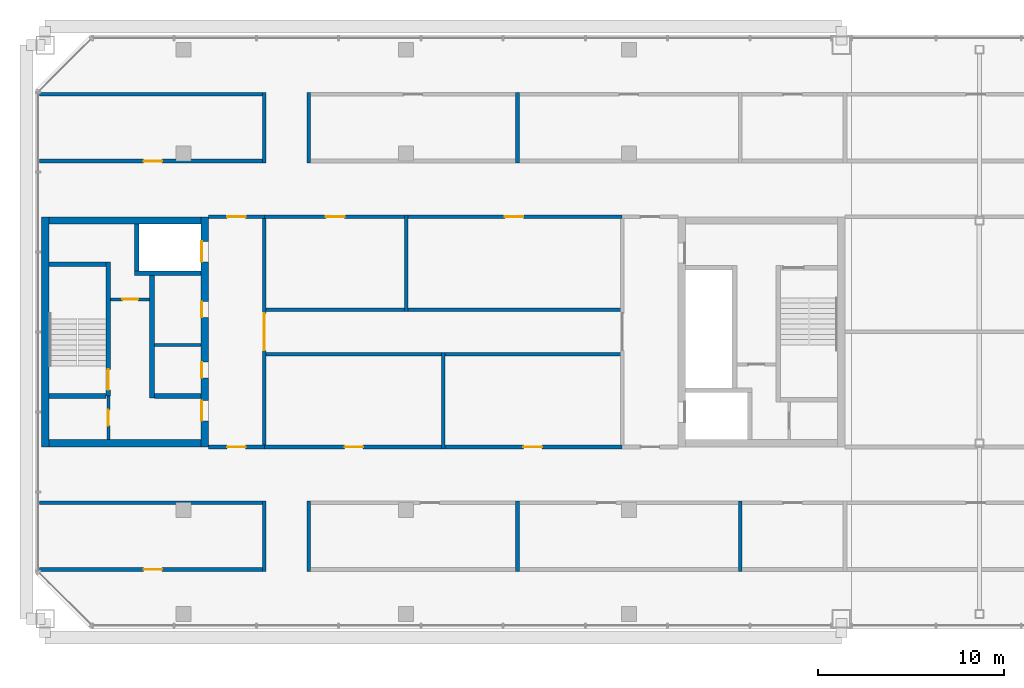
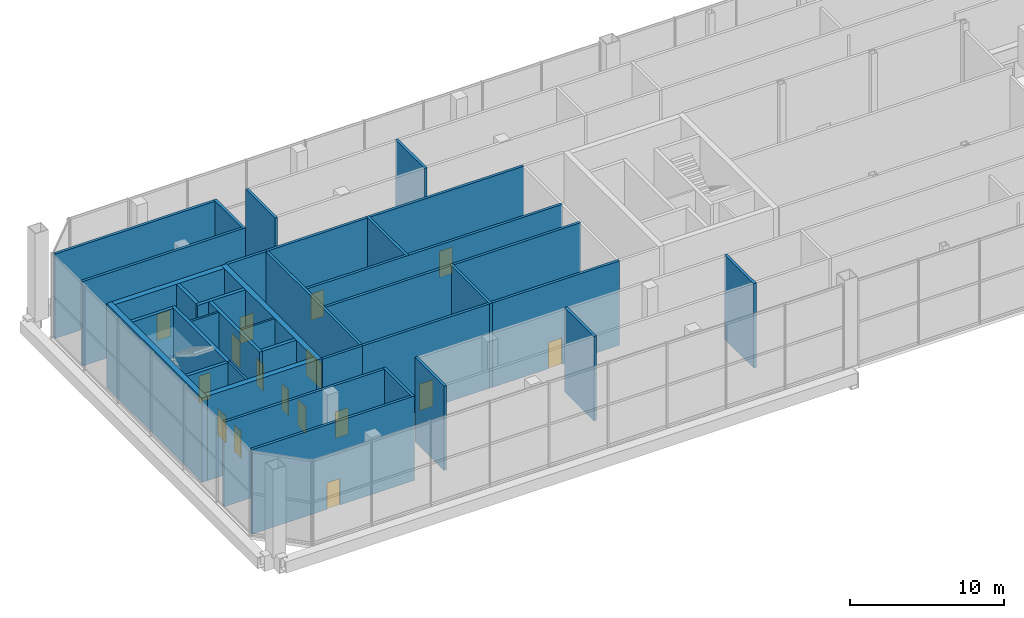
# One storey, part 17 of 27: 34 walls, 16 doors, 16 openings.
"""IFC4 building model written with IfcOpenShell, lengths in metres."""

from ifc_helpers import new_model, si_unit, direction, frame, frame_2d, origin, place, context, subcontext, project, spatial, rectangle, extrude, material, layer, layer_set, type_object, element, fill, save


model = new_model("IFC4")

# Units and contexts
model_context = context("Model", 3, precision=1e-05, world=origin(), true_north=direction((0.0, 1.0)))
body_context = subcontext(model_context, "Body", "Model", "MODEL_VIEW")
ifc_project = project(units=[si_unit("LENGTHUNIT", "METRE"), si_unit("AREAUNIT", "SQUARE_METRE"), si_unit("VOLUMEUNIT", "CUBIC_METRE"), si_unit("PLANEANGLEUNIT", "RADIAN"), si_unit("MASSUNIT", "GRAM", prefix="KILO")], contexts=[model_context])

# Site, building, storey
site_placement = place(None, origin())
site = spatial("IfcSite", under=ifc_project, at=site_placement, CompositionType="ELEMENT")
building_placement = place(site_placement, origin())
building = spatial("IfcBuilding", under=site, at=building_placement, Name="Tuart Gate Housing", CompositionType="ELEMENT")
storey_placement = place(building_placement, frame((0.0, 0.0, 236.89990234375)))
storey = spatial("IfcBuildingStorey", under=building, at=storey_placement, Name="L67", CompositionType="ELEMENT", Elevation=236.89990234375)

# Wall, opening, door
ifc_material_1 = material(Name="Plasterboard partition")
ifc_layer_1 = layer(ifc_material_1, 0.14990234375)
ifc_layer_set_1 = layer_set([ifc_layer_1], Name="Core partition 150")
wall_type_1 = type_object("IfcWallType", Name="Core partition 150", PredefinedType="PARTITIONING", material=ifc_layer_set_1)
wall_1_placement = place(storey_placement, frame((38.18505859375, 71.75, 0.0), z_axis=(0.0, 0.0, 1.0), x_axis=(-1.0, 0.0, 0.0)))
wall_1 = element("IfcWall", 1, at=wall_1_placement, inside=storey, type_object=wall_type_1, Name="Core partition AK.3", PredefinedType="PARTITIONING", context=body_context, shape_type="SweptSolid", body=[
    extrude(rectangle(XDim=2.10009765625, YDim=0.14990234375, at=frame_2d((1.050048828125, 0.0))), origin(), (0.0, 0.0, 1.0), 6.7001953125),
])
opening_1_placement = place(wall_1_placement, frame((0.625, 0.0, 0.0)))
opening_1 = element("IfcOpeningElement", 2, at=opening_1_placement, cuts=wall_1, Name="Opening D281", PredefinedType="OPENING", context=body_context, shape_type="SweptSolid", body=[
    extrude(rectangle(XDim=0.85009765625, YDim=2.10009765625, at=frame_2d((0.425048828125, 1.050048828125))), frame((0.0, 0.0849609375, 0.0), z_axis=(0.0, -1.0, 0.0), x_axis=(1.0, 0.0, 0.0)), (0.0, 0.0, 1.0), 0.169921875),
])
ifc_material_2 = material(Name="Steel fire door", Category="steel")
door_type_1 = type_object("IfcDoorType", Name="Riser door 850 x 2100 RH", OperationType="SINGLE_SWING_RIGHT", PredefinedType="DOOR", material=ifc_material_2)
door_1_placement = place(opening_1_placement, frame((0.85009765625, 0.0, 0.0), z_axis=(0.0, 0.0, 1.0), x_axis=(-1.0, 0.0, 0.0)))
door_1 = element("IfcDoor", 3, at=door_1_placement, inside=storey, type_object=door_type_1, Name="Service room door AK.E1", OperationType="SINGLE_SWING_RIGHT", OverallHeight=2.10009765625, OverallWidth=0.85009765625, PredefinedType="DOOR", context=body_context, shape_type="SweptSolid", body=[
    extrude(rectangle(XDim=0.85009765625, YDim=2.10009765625, at=frame_2d((0.425048828125, 1.050048828125))), frame((0.0, 0.025146484375, 0.0), z_axis=(0.0, -1.0, 0.0), x_axis=(1.0, 0.0, 0.0)), (0.0, 0.0, 1.0), 0.050048828125),
])
fill(opening_1, door_1)

# Wall
wall_2_placement = place(storey_placement, frame((40.9599609375, 69.300048828125, 0.0), z_axis=(0.0, 0.0, 1.0), x_axis=(-1.0, 0.0, 0.0)))
element("IfcWall", 4, at=wall_2_placement, inside=storey, type_object=wall_type_1, Name="Core partition AK.4", PredefinedType="PARTITIONING", context=body_context, shape_type="SweptSolid", body=[
    extrude(rectangle(XDim=2.52490234375, YDim=0.14990234375, at=frame_2d((1.262451171875, 0.0))), origin(), (0.0, 0.0, 1.0), 6.7001953125),
])

# Wall, opening, door
wall_3_placement = place(storey_placement, frame((35.9599609375, 66.550048828125, 0.0), z_axis=(0.0, 0.0, 1.0), x_axis=(0.0, -1.0, 0.0)))
wall_3 = element("IfcWall", 5, at=wall_3_placement, inside=storey, type_object=wall_type_1, Name="Core partition AK.10", PredefinedType="PARTITIONING", context=body_context, shape_type="SweptSolid", body=[
    extrude(rectangle(XDim=2.35009765625, YDim=0.14990234375, at=frame_2d((1.175048828125, 0.0))), origin(), (0.0, 0.0, 1.0), 6.7001953125),
])
opening_2_placement = place(wall_3_placement, frame((0.75, 0.0, 0.0)))
opening_2 = element("IfcOpeningElement", 6, at=opening_2_placement, cuts=wall_3, Name="Opening D290", PredefinedType="OPENING", context=body_context, shape_type="SweptSolid", body=[
    extrude(rectangle(XDim=0.85009765625, YDim=2.10009765625, at=frame_2d((0.425048828125, 1.050048828125))), frame((0.0, 0.0849609375, 0.0), z_axis=(0.0, -1.0, 0.0), x_axis=(1.0, 0.0, 0.0)), (0.0, 0.0, 1.0), 0.169921875),
])
ifc_material_3 = material(Name="Steel fire door", Category="steel")
door_type_2 = type_object("IfcDoorType", Name="Service door 850 x 2100 RH", OperationType="SINGLE_SWING_RIGHT", PredefinedType="DOOR", material=ifc_material_3)
door_2_placement = place(opening_2_placement, frame((0.85009765625, 0.0, 0.0), z_axis=(0.0, 0.0, 1.0), x_axis=(-1.0, 0.0, 0.0)))
door_2 = element("IfcDoor", 7, at=door_2_placement, inside=storey, type_object=door_type_2, Name="Service room door AK.ST", OperationType="SINGLE_SWING_RIGHT", OverallHeight=2.10009765625, OverallWidth=0.85009765625, PredefinedType="DOOR", context=body_context, shape_type="SweptSolid", body=[
    extrude(rectangle(XDim=0.85009765625, YDim=2.10009765625, at=frame_2d((0.425048828125, 1.050048828125))), frame((0.0, 0.025146484375, 0.0), z_axis=(0.0, -1.0, 0.0), x_axis=(1.0, 0.0, 0.0)), (0.0, 0.0, 1.0), 0.050048828125),
])
fill(opening_2, door_2)

# Walls
ifc_material_4 = material(Name="Concrete C40", Category="concrete")
ifc_layer_2 = layer(ifc_material_4, 0.25)
ifc_layer_set_2 = layer_set([ifc_layer_2], Name="Core wall 250 C40")
wall_type_2 = type_object("IfcWallType", Name="Core wall 250 C40", PredefinedType="SHEAR", material=ifc_layer_set_2)
wall_4_placement = place(storey_placement, frame((35.8349609375, 73.64990234375, 0.0), z_axis=(0.0, 0.0, 1.0), x_axis=(-1.0, 0.0, 0.0)))
element("IfcWall", 8, at=wall_4_placement, inside=storey, type_object=wall_type_2, Name="Core wall AK.1", PredefinedType="SHEAR", context=body_context, shape_type="SweptSolid", body=[
    extrude(rectangle(XDim=3.074951171875, YDim=0.25, at=frame_2d((1.53759765625, 0.0))), origin(), (0.0, 0.0, 1.0), 6.7001953125),
])
wall_5_placement = place(storey_placement, frame((40.9599609375, 73.14990234375, 0.0), z_axis=(0.0, 0.0, 1.0), x_axis=(-1.0, 0.0, 0.0)))
element("IfcWall", 9, at=wall_5_placement, inside=storey, type_object=wall_type_2, Name="Core wall AK.2", PredefinedType="SHEAR", context=body_context, shape_type="SweptSolid", body=[
    extrude(rectangle(XDim=3.594970703125, YDim=0.25, at=frame_2d((1.79736328125, 0.0))), origin(), (0.0, 0.0, 1.0), 6.7001953125),
])
wall_6_placement = place(storey_placement, frame((40.9599609375, 66.550048828125, 0.0), z_axis=(0.0, 0.0, 1.0), x_axis=(-1.0, 0.0, 0.0)))
element("IfcWall", 10, at=wall_6_placement, inside=storey, type_object=wall_type_2, Name="Core wall AK.5", PredefinedType="SHEAR", context=body_context, shape_type="SweptSolid", body=[
    extrude(rectangle(XDim=2.52490234375, YDim=0.25, at=frame_2d((1.262451171875, 0.0))), origin(), (0.0, 0.0, 1.0), 6.7001953125),
])
wall_7_placement = place(storey_placement, frame((35.8349609375, 66.550048828125, 0.0), z_axis=(0.0, 0.0, 1.0), x_axis=(-1.0, 0.0, 0.0)))
element("IfcWall", 11, at=wall_7_placement, inside=storey, type_object=wall_type_2, Name="Core wall AK.6", PredefinedType="SHEAR", context=body_context, shape_type="SweptSolid", body=[
    extrude(rectangle(XDim=3.074951171875, YDim=0.25, at=frame_2d((1.53759765625, 0.0))), origin(), (0.0, 0.0, 1.0), 6.7001953125),
])
wall_8_placement = place(storey_placement, frame((38.31005859375, 73.02490234375, 0.0), z_axis=(0.0, 0.0, 1.0), x_axis=(0.0, -1.0, 0.0)))
element("IfcWall", 12, at=wall_8_placement, inside=storey, type_object=wall_type_2, Name="Core wall AK.7", PredefinedType="SHEAR", context=body_context, shape_type="SweptSolid", body=[
    extrude(rectangle(XDim=6.599853515625, YDim=0.25, at=frame_2d((3.2998046875, 0.0))), origin(), (0.0, 0.0, 1.0), 6.7001953125),
])
wall_9_placement = place(storey_placement, frame((37.489990234375, 75.800048828125, 0.0), z_axis=(0.0, 0.0, 1.0), x_axis=(0.0, -1.0, 0.0)))
element("IfcWall", 13, at=wall_9_placement, inside=storey, type_object=wall_type_2, Name="Core wall AK.8", PredefinedType="SHEAR", context=body_context, shape_type="SweptSolid", body=[
    extrude(rectangle(XDim=2.525146484375, YDim=0.25, at=frame_2d((1.2626953125, 0.0))), origin(), (0.0, 0.0, 1.0), 6.7001953125),
])

# Wall, opening, door
wall_10_placement = place(storey_placement, frame((35.9599609375, 73.77490234375, 0.0), z_axis=(0.0, 0.0, 1.0), x_axis=(0.0, -1.0, 0.0)))
wall_10 = element("IfcWall", 14, at=wall_10_placement, inside=storey, type_object=wall_type_2, Name="Core wall AK.9", PredefinedType="SHEAR", context=body_context, shape_type="SweptSolid", body=[
    extrude(rectangle(XDim=7.224853515625, YDim=0.25, at=frame_2d((3.6123046875, 0.0))), origin(), (0.0, 0.0, 1.0), 6.7001953125),
])
opening_3_placement = place(wall_10_placement, frame((5.800048828125, 0.0, 0.0)))
opening_3 = element("IfcOpeningElement", 15, at=opening_3_placement, cuts=wall_10, Name="Opening D282", PredefinedType="OPENING", context=body_context, shape_type="SweptSolid", body=[
    extrude(rectangle(XDim=1.10009765625, YDim=2.10009765625, at=frame_2d((0.550048828125, 1.050048828125))), frame((0.0, 0.135009765625, 0.0), z_axis=(0.0, -1.0, 0.0), x_axis=(1.0, 0.0, 0.0)), (0.0, 0.0, 1.0), 0.27001953125),
])
ifc_material_5 = material(Name="Steel fire door", Category="steel")
door_type_3 = type_object("IfcDoorType", Name="Stair door 1100 x 2100", OperationType="SINGLE_SWING_LEFT", PredefinedType="DOOR", material=ifc_material_5)
door_3_placement = place(opening_3_placement, frame((1.10009765625, 0.0, 0.0), z_axis=(0.0, 0.0, 1.0), x_axis=(-1.0, 0.0, 0.0)))
door_3 = element("IfcDoor", 16, at=door_3_placement, inside=storey, type_object=door_type_3, Name="Stair door AK.SD", OperationType="SINGLE_SWING_LEFT", OverallHeight=2.10009765625, OverallWidth=1.10009765625, PredefinedType="DOOR", context=body_context, shape_type="SweptSolid", body=[
    extrude(rectangle(XDim=1.10009765625, YDim=2.10009765625, at=frame_2d((0.550048828125, 1.050048828125))), frame((0.0, 0.025146484375, 0.0), z_axis=(0.0, -1.0, 0.0), x_axis=(1.0, 0.0, 0.0)), (0.0, 0.0, 1.0), 0.050048828125),
])
fill(opening_3, door_3)

# Wall, openings, doors
ifc_material_6 = material(Name="Concrete C40", Category="concrete")
ifc_layer_3 = layer(ifc_material_6, 0.39990234375)
ifc_layer_set_3 = layer_set([ifc_layer_3], Name="Core wall 400 C40")
wall_type_3 = type_object("IfcWallType", Name="Core wall 400 C40", PredefinedType="SHEAR", material=ifc_layer_set_3)
wall_11_placement = place(storey_placement, frame((41.159912109375, 76.199951171875, 0.0), z_axis=(0.0, 0.0, 1.0), x_axis=(0.0, -1.0, 0.0)))
wall_11 = element("IfcWall", 17, at=wall_11_placement, inside=storey, type_object=wall_type_3, Name="Core wall AK front", PredefinedType="SHEAR", context=body_context, shape_type="SweptSolid", body=[
    extrude(rectangle(XDim=12.39990234375, YDim=0.39990234375, at=frame_2d((6.199951171875, 0.0))), origin(), (0.0, 0.0, 1.0), 6.7001953125),
])
opening_4_placement = place(wall_11_placement, frame((1.324951171875, 0.0, 0.0)))
opening_4 = element("IfcOpeningElement", 18, at=opening_4_placement, cuts=wall_11, Name="Opening LD-FA2", PredefinedType="OPENING", context=body_context, shape_type="SweptSolid", body=[
    extrude(rectangle(XDim=1.10009765625, YDim=2.10009765625, at=frame_2d((0.550048828125, 1.050048828125))), frame((0.0, 0.2099609375, 0.0), z_axis=(0.0, -1.0, 0.0), x_axis=(1.0, 0.0, 0.0)), (0.0, 0.0, 1.0), 0.419921875),
])
opening_5_placement = place(wall_11_placement, frame((4.574951171875, 0.0, 0.0)))
opening_5 = element("IfcOpeningElement", 19, at=opening_5_placement, cuts=wall_11, Name="Opening D284", PredefinedType="OPENING", context=body_context, shape_type="SweptSolid", body=[
    extrude(rectangle(XDim=0.85009765625, YDim=2.10009765625, at=frame_2d((0.425048828125, 1.050048828125))), frame((0.0, 0.2099609375, 0.0), z_axis=(0.0, -1.0, 0.0), x_axis=(1.0, 0.0, 0.0)), (0.0, 0.0, 1.0), 0.419921875),
])
opening_6_placement = place(wall_11_placement, frame((7.824951171875, 0.0, 0.0)))
opening_6 = element("IfcOpeningElement", 20, at=opening_6_placement, cuts=wall_11, Name="Opening D285", PredefinedType="OPENING", context=body_context, shape_type="SweptSolid", body=[
    extrude(rectangle(XDim=0.85009765625, YDim=2.10009765625, at=frame_2d((0.425048828125, 1.050048828125))), frame((0.0, 0.2099609375, 0.0), z_axis=(0.0, -1.0, 0.0), x_axis=(1.0, 0.0, 0.0)), (0.0, 0.0, 1.0), 0.419921875),
])
opening_7_placement = place(wall_11_placement, frame((9.89990234375, 0.0, 0.0)))
opening_7 = element("IfcOpeningElement", 21, at=opening_7_placement, cuts=wall_11, Name="Opening D283", PredefinedType="OPENING", context=body_context, shape_type="SweptSolid", body=[
    extrude(rectangle(XDim=1.10009765625, YDim=2.10009765625, at=frame_2d((0.550048828125, 1.050048828125))), frame((0.0, 0.2099609375, 0.0), z_axis=(0.0, -1.0, 0.0), x_axis=(1.0, 0.0, 0.0)), (0.0, 0.0, 1.0), 0.419921875),
])
ifc_material_7 = material(Name="Stainless steel", Category="steel")
door_type_4 = type_object("IfcDoorType", Name="Landing door 1100 x 2100", OperationType="DOUBLE_DOOR_SLIDING", PredefinedType="DOOR", material=ifc_material_7)
door_4_placement = place(opening_4_placement, origin())
door_4 = element("IfcDoor", 22, at=door_4_placement, inside=storey, type_object=door_type_4, Name="Lift landing door FA2", OperationType="DOUBLE_DOOR_SLIDING", OverallHeight=2.10009765625, OverallWidth=1.10009765625, PredefinedType="DOOR", context=body_context, shape_type="SweptSolid", body=[
    extrude(rectangle(XDim=1.10009765625, YDim=2.10009765625, at=frame_2d((0.550048828125, 1.050048828125))), frame((0.0, -0.134765625, 0.0), z_axis=(0.0, -1.0, 0.0), x_axis=(1.0, 0.0, 0.0)), (0.0, 0.0, 1.0), 0.050048828125),
])
fill(opening_4, door_4)
ifc_material_8 = material(Name="Steel fire door", Category="steel")
door_type_5 = type_object("IfcDoorType", Name="Lobby door 1100 x 2100 RH", OperationType="SINGLE_SWING_RIGHT", PredefinedType="DOOR", material=ifc_material_8)
door_5_placement = place(opening_7_placement, frame((1.10009765625, 0.0, 0.0), z_axis=(0.0, 0.0, 1.0), x_axis=(-1.0, 0.0, 0.0)))
door_5 = element("IfcDoor", 23, at=door_5_placement, inside=storey, type_object=door_type_5, Name="Lobby entry door AK.EN", OperationType="SINGLE_SWING_RIGHT", OverallHeight=2.10009765625, OverallWidth=1.10009765625, PredefinedType="DOOR", context=body_context, shape_type="SweptSolid", body=[
    extrude(rectangle(XDim=1.10009765625, YDim=2.10009765625, at=frame_2d((0.550048828125, 1.050048828125))), frame((0.0, 0.184814453125, 0.0), z_axis=(0.0, -1.0, 0.0), x_axis=(1.0, 0.0, 0.0)), (0.0, 0.0, 1.0), 0.050048828125),
])
fill(opening_7, door_5)
door_6_placement = place(opening_5_placement, frame((0.85009765625, 0.0, 0.0), z_axis=(0.0, 0.0, 1.0), x_axis=(-1.0, 0.0, 0.0)))
door_6 = element("IfcDoor", 24, at=door_6_placement, inside=storey, type_object=door_type_2, Name="Service room door AK.FR1", OperationType="SINGLE_SWING_RIGHT", OverallHeight=2.10009765625, OverallWidth=0.85009765625, PredefinedType="DOOR", context=body_context, shape_type="SweptSolid", body=[
    extrude(rectangle(XDim=0.85009765625, YDim=2.10009765625, at=frame_2d((0.425048828125, 1.050048828125))), frame((0.0, 0.184814453125, 0.0), z_axis=(0.0, -1.0, 0.0), x_axis=(1.0, 0.0, 0.0)), (0.0, 0.0, 1.0), 0.050048828125),
])
fill(opening_5, door_6)
door_7_placement = place(opening_6_placement, frame((0.85009765625, 0.0, 0.0), z_axis=(0.0, 0.0, 1.0), x_axis=(-1.0, 0.0, 0.0)))
door_7 = element("IfcDoor", 25, at=door_7_placement, inside=storey, type_object=door_type_2, Name="Service room door AK.FR2", OperationType="SINGLE_SWING_RIGHT", OverallHeight=2.10009765625, OverallWidth=0.85009765625, PredefinedType="DOOR", context=body_context, shape_type="SweptSolid", body=[
    extrude(rectangle(XDim=0.85009765625, YDim=2.10009765625, at=frame_2d((0.425048828125, 1.050048828125))), frame((0.0, 0.184814453125, 0.0), z_axis=(0.0, -1.0, 0.0), x_axis=(1.0, 0.0, 0.0)), (0.0, 0.0, 1.0), 0.050048828125),
])
fill(opening_6, door_7)

# Walls
wall_12_placement = place(storey_placement, frame((32.56005859375, 76.199951171875, 0.0), z_axis=(0.0, 0.0, 1.0), x_axis=(0.0, -1.0, 0.0)))
element("IfcWall", 26, at=wall_12_placement, inside=storey, type_object=wall_type_3, Name="Core wall AK back", PredefinedType="SHEAR", context=body_context, shape_type="SweptSolid", body=[
    extrude(rectangle(XDim=12.39990234375, YDim=0.39990234375, at=frame_2d((6.199951171875, 0.0))), origin(), (0.0, 0.0, 1.0), 6.7001953125),
])
for number, where, z_axis, x_axis, name in (
    (27, (40.9599609375, 76.0, 0.0), (0.0, 0.0, 1.0), (-1.0, 0.0, 0.0), "Core wall AK south"),
    (28, (40.9599609375, 64.0, 0.0), (0.0, 0.0, 1.0), (-1.0, 0.0, 0.0), "Core wall AK north"),
):
    element("IfcWall", number, at=place(storey_placement, frame(where, z_axis=z_axis, x_axis=x_axis)), inside=storey, type_object=wall_type_3, Name=name, PredefinedType="SHEAR", context=body_context, shape_type="SweptSolid", body=[
        extrude(rectangle(XDim=8.199951171875, YDim=0.39990234375, at=frame_2d((4.10009765625, 0.0))), origin(), (0.0, 0.0, 1.0), 6.7001953125),
    ])

# Wall, opening, door
ifc_material_9 = material(Name="Concrete masonry 15 MPa", Category="masonry")
ifc_layer_4 = layer(ifc_material_9, 0.199951171875)
ifc_layer_set_4 = layer_set([ifc_layer_4], Name="Enclosure wall masonry 200")
wall_type_4 = type_object("IfcWallType", Name="Enclosure wall masonry 200", PredefinedType="PARTITIONING", material=ifc_layer_set_4)
wall_13_placement = place(storey_placement, frame((32.239990234375, 57.199951171875, 0.0), z_axis=(0.0, 0.0, 1.0), x_axis=(1.0, 0.0, 0.0)))
wall_13 = element("IfcWall", 29, at=wall_13_placement, inside=storey, type_object=wall_type_4, Name="Enclosure wall masonry 200", PredefinedType="PARTITIONING", context=body_context, shape_type="SweptSolid", body=[
    extrude(rectangle(XDim=12.219970703125, YDim=0.199951171875, at=frame_2d((6.10986328125, 0.0))), origin(), (0.0, 0.0, 1.0), 6.7001953125),
])
opening_8_placement = place(wall_13_placement, frame((5.6201171875, 0.0, 0.0)))
opening_8 = element("IfcOpeningElement", 30, at=opening_8_placement, cuts=wall_13, Name="Opening D296", PredefinedType="OPENING", context=body_context, shape_type="SweptSolid", body=[
    extrude(rectangle(XDim=1.0, YDim=2.10009765625, at=frame_2d((0.5, 1.050048828125))), frame((0.0, 0.10986328125, 0.0), z_axis=(0.0, -1.0, 0.0), x_axis=(1.0, 0.0, 0.0)), (0.0, 0.0, 1.0), 0.219970703125),
])
ifc_material_10 = material(Name="Timber door leaf in steel frame", Category="steel")
door_type_6 = type_object("IfcDoorType", Name="Fire door 1000 RH", OperationType="SINGLE_SWING_RIGHT", PredefinedType="DOOR", material=ifc_material_10)
door_8_placement = place(opening_8_placement, origin())
door_8 = element("IfcDoor", 31, at=door_8_placement, inside=storey, type_object=door_type_6, Name="Fire door 1000", OperationType="SINGLE_SWING_RIGHT", OverallHeight=2.10009765625, OverallWidth=1.0, PredefinedType="DOOR", context=body_context, shape_type="SweptSolid", body=[
    extrude(rectangle(XDim=1.0, YDim=2.10009765625, at=frame_2d((0.5, 1.050048828125))), frame((0.0, 0.02490234375, 0.0), z_axis=(0.0, -1.0, 0.0), x_axis=(1.0, 0.0, 0.0)), (0.0, 0.0, 1.0), 0.050048828125),
])
fill(opening_8, door_8)

# Wall
wall_14_placement = place(storey_placement, frame((32.239990234375, 60.800048828125, 0.0), z_axis=(0.0, 0.0, 1.0), x_axis=(1.0, 0.0, 0.0)))
element("IfcWall", 32, at=wall_14_placement, inside=storey, type_object=wall_type_4, Name="Enclosure wall masonry 200", PredefinedType="PARTITIONING", context=body_context, shape_type="SweptSolid", body=[
    extrude(rectangle(XDim=12.219970703125, YDim=0.199951171875, at=frame_2d((6.10986328125, 0.0))), origin(), (0.0, 0.0, 1.0), 6.7001953125),
])

# Wall, openings, doors
wall_15_placement = place(storey_placement, frame((44.360107421875, 63.800048828125, 0.0), z_axis=(0.0, 0.0, 1.0), x_axis=(1.0, 0.0, 0.0)))
wall_15 = element("IfcWall", 33, at=wall_15_placement, inside=storey, type_object=wall_type_4, Name="Enclosure wall masonry 200", PredefinedType="PARTITIONING", context=body_context, shape_type="SweptSolid", body=[
    extrude(rectangle(XDim=19.27978515625, YDim=0.199951171875, at=frame_2d((9.639892578125, 0.0))), origin(), (0.0, 0.0, 1.0), 6.7001953125),
])
opening_9_placement = place(wall_15_placement, frame((4.320068359375, 0.0, 0.0)))
opening_9 = element("IfcOpeningElement", 34, at=opening_9_placement, cuts=wall_15, Name="Opening D293", PredefinedType="OPENING", context=body_context, shape_type="SweptSolid", body=[
    extrude(rectangle(XDim=1.0, YDim=2.10009765625, at=frame_2d((0.5, 1.050048828125))), frame((0.0, 0.10986328125, 0.0), z_axis=(0.0, -1.0, 0.0), x_axis=(1.0, 0.0, 0.0)), (0.0, 0.0, 1.0), 0.219970703125),
])
opening_10_placement = place(wall_15_placement, frame((13.9599609375, 0.0, 0.0)))
opening_10 = element("IfcOpeningElement", 35, at=opening_10_placement, cuts=wall_15, Name="Opening D294", PredefinedType="OPENING", context=body_context, shape_type="SweptSolid", body=[
    extrude(rectangle(XDim=1.0, YDim=2.10009765625, at=frame_2d((0.5, 1.050048828125))), frame((0.0, 0.10986328125, 0.0), z_axis=(0.0, -1.0, 0.0), x_axis=(1.0, 0.0, 0.0)), (0.0, 0.0, 1.0), 0.219970703125),
])
ifc_material_11 = material(Name="Timber door leaf in steel frame", Category="steel")
door_type_7 = type_object("IfcDoorType", Name="Fire door 1000", OperationType="SINGLE_SWING_LEFT", PredefinedType="DOOR", material=ifc_material_11)
door_9_placement = place(opening_9_placement, origin())
door_9 = element("IfcDoor", 36, at=door_9_placement, inside=storey, type_object=door_type_7, Name="Fire door 1000", OperationType="SINGLE_SWING_LEFT", OverallHeight=2.10009765625, OverallWidth=1.0, PredefinedType="DOOR", context=body_context, shape_type="SweptSolid", body=[
    extrude(rectangle(XDim=1.0, YDim=2.10009765625, at=frame_2d((0.5, 1.050048828125))), frame((0.0, 0.02490234375, 0.0), z_axis=(0.0, -1.0, 0.0), x_axis=(1.0, 0.0, 0.0)), (0.0, 0.0, 1.0), 0.050048828125),
])
fill(opening_9, door_9)
door_10_placement = place(opening_10_placement, origin())
door_10 = element("IfcDoor", 37, at=door_10_placement, inside=storey, type_object=door_type_7, Name="Fire door 1000", OperationType="SINGLE_SWING_LEFT", OverallHeight=2.10009765625, OverallWidth=1.0, PredefinedType="DOOR", context=body_context, shape_type="SweptSolid", body=[
    extrude(rectangle(XDim=1.0, YDim=2.10009765625, at=frame_2d((0.5, 1.050048828125))), frame((0.0, 0.02490234375, 0.0), z_axis=(0.0, -1.0, 0.0), x_axis=(1.0, 0.0, 0.0)), (0.0, 0.0, 1.0), 0.050048828125),
])
fill(opening_10, door_10)

# Wall, opening, door
wall_16_placement = place(storey_placement, frame((41.360107421875, 63.800048828125, 0.0), z_axis=(0.0, 0.0, 1.0), x_axis=(1.0, 0.0, 0.0)))
wall_16 = element("IfcWall", 38, at=wall_16_placement, inside=storey, type_object=wall_type_4, Name="Enclosure wall masonry 200", PredefinedType="PARTITIONING", context=body_context, shape_type="SweptSolid", body=[
    extrude(rectangle(XDim=3.0, YDim=0.199951171875, at=frame_2d((1.5, 0.0))), origin(), (0.0, 0.0, 1.0), 6.7001953125),
])
opening_11_placement = place(wall_16_placement, frame((1.0, 0.0, 0.0)))
opening_11 = element("IfcOpeningElement", 39, at=opening_11_placement, cuts=wall_16, Name="Opening D292", PredefinedType="OPENING", context=body_context, shape_type="SweptSolid", body=[
    extrude(rectangle(XDim=1.0, YDim=2.10009765625, at=frame_2d((0.5, 1.050048828125))), frame((0.0, 0.10986328125, 0.0), z_axis=(0.0, -1.0, 0.0), x_axis=(1.0, 0.0, 0.0)), (0.0, 0.0, 1.0), 0.219970703125),
])
ifc_material_12 = material(Name="Timber door leaf in steel frame", Category="steel")
door_type_8 = type_object("IfcDoorType", Name="Lobby door 1000 RH", OperationType="SINGLE_SWING_RIGHT", PredefinedType="DOOR", material=ifc_material_12)
door_11_placement = place(opening_11_placement, origin())
door_11 = element("IfcDoor", 40, at=door_11_placement, inside=storey, type_object=door_type_8, Name="Lobby door 1000", OperationType="SINGLE_SWING_RIGHT", OverallHeight=2.10009765625, OverallWidth=1.0, PredefinedType="DOOR", context=body_context, shape_type="SweptSolid", body=[
    extrude(rectangle(XDim=1.0, YDim=2.10009765625, at=frame_2d((0.5, 1.050048828125))), frame((0.0, 0.02490234375, 0.0), z_axis=(0.0, -1.0, 0.0), x_axis=(1.0, 0.0, 0.0)), (0.0, 0.0, 1.0), 0.050048828125),
])
fill(opening_11, door_11)

# Walls
for number, where, z_axis, x_axis, name in (
    (41, (44.360107421875, 68.800048828125, 0.0), (0.0, 0.0, 1.0), (1.0, 0.0, 0.0), "Enclosure wall masonry 200"),
    (42, (44.360107421875, 71.199951171875, 0.0), (0.0, 0.0, 1.0), (1.0, 0.0, 0.0), "Enclosure wall masonry 200"),
):
    element("IfcWall", number, at=place(storey_placement, frame(where, z_axis=z_axis, x_axis=x_axis)), inside=storey, type_object=wall_type_4, Name=name, PredefinedType="PARTITIONING", context=body_context, shape_type="SweptSolid", body=[
        extrude(rectangle(XDim=19.27978515625, YDim=0.199951171875, at=frame_2d((9.639892578125, 0.0))), origin(), (0.0, 0.0, 1.0), 6.7001953125),
    ])

# Wall, openings, doors
wall_17_placement = place(storey_placement, frame((44.360107421875, 76.199951171875, 0.0), z_axis=(0.0, 0.0, 1.0), x_axis=(1.0, 0.0, 0.0)))
wall_17 = element("IfcWall", 43, at=wall_17_placement, inside=storey, type_object=wall_type_4, Name="Enclosure wall masonry 200", PredefinedType="PARTITIONING", context=body_context, shape_type="SweptSolid", body=[
    extrude(rectangle(XDim=19.27978515625, YDim=0.199951171875, at=frame_2d((9.639892578125, 0.0))), origin(), (0.0, 0.0, 1.0), 6.7001953125),
])
opening_12_placement = place(wall_17_placement, frame((3.320068359375, 0.0, 0.0)))
opening_12 = element("IfcOpeningElement", 44, at=opening_12_placement, cuts=wall_17, Name="Opening D277", PredefinedType="OPENING", context=body_context, shape_type="SweptSolid", body=[
    extrude(rectangle(XDim=1.0, YDim=2.10009765625, at=frame_2d((0.5, 1.050048828125))), frame((0.0, 0.10986328125, 0.0), z_axis=(0.0, -1.0, 0.0), x_axis=(1.0, 0.0, 0.0)), (0.0, 0.0, 1.0), 0.219970703125),
])
opening_13_placement = place(wall_17_placement, frame((12.9599609375, 0.0, 0.0)))
opening_13 = element("IfcOpeningElement", 45, at=opening_13_placement, cuts=wall_17, Name="Opening D278", PredefinedType="OPENING", context=body_context, shape_type="SweptSolid", body=[
    extrude(rectangle(XDim=1.0, YDim=2.10009765625, at=frame_2d((0.5, 1.050048828125))), frame((0.0, 0.10986328125, 0.0), z_axis=(0.0, -1.0, 0.0), x_axis=(1.0, 0.0, 0.0)), (0.0, 0.0, 1.0), 0.219970703125),
])
door_12_placement = place(opening_12_placement, frame((1.0, 0.0, 0.0), z_axis=(0.0, 0.0, 1.0), x_axis=(-1.0, 0.0, 0.0)))
door_12 = element("IfcDoor", 46, at=door_12_placement, inside=storey, type_object=door_type_6, Name="Fire door 1000", OperationType="SINGLE_SWING_RIGHT", OverallHeight=2.10009765625, OverallWidth=1.0, PredefinedType="DOOR", context=body_context, shape_type="SweptSolid", body=[
    extrude(rectangle(XDim=1.0, YDim=2.10009765625, at=frame_2d((0.5, 1.050048828125))), frame((0.0, 0.025146484375, 0.0), z_axis=(0.0, -1.0, 0.0), x_axis=(1.0, 0.0, 0.0)), (0.0, 0.0, 1.0), 0.050048828125),
])
fill(opening_12, door_12)
door_13_placement = place(opening_13_placement, frame((1.0, 0.0, 0.0), z_axis=(0.0, 0.0, 1.0), x_axis=(-1.0, 0.0, 0.0)))
door_13 = element("IfcDoor", 47, at=door_13_placement, inside=storey, type_object=door_type_6, Name="Fire door 1000", OperationType="SINGLE_SWING_RIGHT", OverallHeight=2.10009765625, OverallWidth=1.0, PredefinedType="DOOR", context=body_context, shape_type="SweptSolid", body=[
    extrude(rectangle(XDim=1.0, YDim=2.10009765625, at=frame_2d((0.5, 1.050048828125))), frame((0.0, 0.025146484375, 0.0), z_axis=(0.0, -1.0, 0.0), x_axis=(1.0, 0.0, 0.0)), (0.0, 0.0, 1.0), 0.050048828125),
])
fill(opening_13, door_13)

# Wall, opening, door
wall_18_placement = place(storey_placement, frame((41.360107421875, 76.199951171875, 0.0), z_axis=(0.0, 0.0, 1.0), x_axis=(1.0, 0.0, 0.0)))
wall_18 = element("IfcWall", 48, at=wall_18_placement, inside=storey, type_object=wall_type_4, Name="Enclosure wall masonry 200", PredefinedType="PARTITIONING", context=body_context, shape_type="SweptSolid", body=[
    extrude(rectangle(XDim=3.0, YDim=0.199951171875, at=frame_2d((1.5, 0.0))), origin(), (0.0, 0.0, 1.0), 6.7001953125),
])
opening_14_placement = place(wall_18_placement, frame((1.0, 0.0, 0.0)))
opening_14 = element("IfcOpeningElement", 49, at=opening_14_placement, cuts=wall_18, Name="Opening D276", PredefinedType="OPENING", context=body_context, shape_type="SweptSolid", body=[
    extrude(rectangle(XDim=1.0, YDim=2.10009765625, at=frame_2d((0.5, 1.050048828125))), frame((0.0, 0.10986328125, 0.0), z_axis=(0.0, -1.0, 0.0), x_axis=(1.0, 0.0, 0.0)), (0.0, 0.0, 1.0), 0.219970703125),
])
ifc_material_13 = material(Name="Timber door leaf in steel frame", Category="steel")
door_type_9 = type_object("IfcDoorType", Name="Lobby door 1000", OperationType="SINGLE_SWING_LEFT", PredefinedType="DOOR", material=ifc_material_13)
door_14_placement = place(opening_14_placement, frame((1.0, 0.0, 0.0), z_axis=(0.0, 0.0, 1.0), x_axis=(-1.0, 0.0, 0.0)))
door_14 = element("IfcDoor", 50, at=door_14_placement, inside=storey, type_object=door_type_9, Name="Lobby door 1000", OperationType="SINGLE_SWING_LEFT", OverallHeight=2.10009765625, OverallWidth=1.0, PredefinedType="DOOR", context=body_context, shape_type="SweptSolid", body=[
    extrude(rectangle(XDim=1.0, YDim=2.10009765625, at=frame_2d((0.5, 1.050048828125))), frame((0.0, 0.025146484375, 0.0), z_axis=(0.0, -1.0, 0.0), x_axis=(1.0, 0.0, 0.0)), (0.0, 0.0, 1.0), 0.050048828125),
])
fill(opening_14, door_14)

wall_19_placement = place(storey_placement, frame((32.239990234375, 79.199951171875, 0.0), z_axis=(0.0, 0.0, 1.0), x_axis=(1.0, 0.0, 0.0)))
wall_19 = element("IfcWall", 51, at=wall_19_placement, inside=storey, type_object=wall_type_4, Name="Enclosure wall masonry 200", PredefinedType="PARTITIONING", context=body_context, shape_type="SweptSolid", body=[
    extrude(rectangle(XDim=12.219970703125, YDim=0.199951171875, at=frame_2d((6.10986328125, 0.0))), origin(), (0.0, 0.0, 1.0), 6.7001953125),
])
opening_15_placement = place(wall_19_placement, frame((5.6201171875, 0.0, 0.0)))
opening_15 = element("IfcOpeningElement", 52, at=opening_15_placement, cuts=wall_19, Name="Opening D275", PredefinedType="OPENING", context=body_context, shape_type="SweptSolid", body=[
    extrude(rectangle(XDim=1.0, YDim=2.10009765625, at=frame_2d((0.5, 1.050048828125))), frame((0.0, 0.10986328125, 0.0), z_axis=(0.0, -1.0, 0.0), x_axis=(1.0, 0.0, 0.0)), (0.0, 0.0, 1.0), 0.219970703125),
])
door_15_placement = place(opening_15_placement, origin())
door_15 = element("IfcDoor", 53, at=door_15_placement, inside=storey, type_object=door_type_6, Name="Fire door 1000", OperationType="SINGLE_SWING_RIGHT", OverallHeight=2.10009765625, OverallWidth=1.0, PredefinedType="DOOR", context=body_context, shape_type="SweptSolid", body=[
    extrude(rectangle(XDim=1.0, YDim=2.10009765625, at=frame_2d((0.5, 1.050048828125))), frame((0.0, 0.02490234375, 0.0), z_axis=(0.0, -1.0, 0.0), x_axis=(1.0, 0.0, 0.0)), (0.0, 0.0, 1.0), 0.050048828125),
])
fill(opening_15, door_15)

# Walls
wall_20_placement = place(storey_placement, frame((32.239990234375, 82.800048828125, 0.0), z_axis=(0.0, 0.0, 1.0), x_axis=(1.0, 0.0, 0.0)))
element("IfcWall", 54, at=wall_20_placement, inside=storey, type_object=wall_type_4, Name="Enclosure wall masonry 200", PredefinedType="PARTITIONING", context=body_context, shape_type="SweptSolid", body=[
    extrude(rectangle(XDim=12.219970703125, YDim=0.199951171875, at=frame_2d((6.10986328125, 0.0))), origin(), (0.0, 0.0, 1.0), 6.7001953125),
])
for number, where, z_axis, x_axis, name in (
    (55, (44.360107421875, 57.10009765625, 0.0), (0.0, 0.0, 1.0), (0.0, 1.0, 0.0), "Enclosure wall masonry 200"),
    (56, (44.360107421875, 79.10009765625, 0.0), (0.0, 0.0, 1.0), (0.0, 1.0, 0.0), "Enclosure wall masonry 200"),
    (57, (46.760009765625, 57.10009765625, 0.0), (0.0, 0.0, 1.0), (0.0, 1.0, 0.0), "Enclosure wall masonry 200"),
    (58, (46.760009765625, 79.10009765625, 0.0), (0.0, 0.0, 1.0), (0.0, 1.0, 0.0), "Enclosure wall masonry 200"),
):
    element("IfcWall", number, at=place(storey_placement, frame(where, z_axis=z_axis, x_axis=x_axis)), inside=storey, type_object=wall_type_4, Name=name, PredefinedType="PARTITIONING", context=body_context, shape_type="SweptSolid", body=[
        extrude(rectangle(XDim=3.7998046875, YDim=0.199951171875, at=frame_2d((1.89990234375, 0.0))), origin(), (0.0, 0.0, 1.0), 6.7001953125),
    ])
for number, where, z_axis, x_axis, name in (
    (59, (52.0, 71.10009765625, 0.0), (0.0, 0.0, 1.0), (0.0, 1.0, 0.0), "Enclosure wall masonry 200"),
    (60, (54.0, 63.699951171875, 0.0), (0.0, 0.0, 1.0), (0.0, 1.0, 0.0), "Enclosure wall masonry 200"),
):
    element("IfcWall", number, at=place(storey_placement, frame(where, z_axis=z_axis, x_axis=x_axis)), inside=storey, type_object=wall_type_4, Name=name, PredefinedType="PARTITIONING", context=body_context, shape_type="SweptSolid", body=[
        extrude(rectangle(XDim=5.199951171875, YDim=0.199951171875, at=frame_2d((2.60009765625, 0.0))), origin(), (0.0, 0.0, 1.0), 6.7001953125),
    ])
for number, where, z_axis, x_axis, name in (
    (61, (58.0, 57.10009765625, 0.0), (0.0, 0.0, 1.0), (0.0, 1.0, 0.0), "Enclosure wall masonry 200"),
    (62, (58.0, 79.10009765625, 0.0), (0.0, 0.0, 1.0), (0.0, 1.0, 0.0), "Enclosure wall masonry 200"),
    (63, (70.0, 57.10009765625, 0.0), (0.0, 0.0, 1.0), (0.0, 1.0, 0.0), "Enclosure wall masonry 200"),
):
    element("IfcWall", number, at=place(storey_placement, frame(where, z_axis=z_axis, x_axis=x_axis)), inside=storey, type_object=wall_type_4, Name=name, PredefinedType="PARTITIONING", context=body_context, shape_type="SweptSolid", body=[
        extrude(rectangle(XDim=3.7998046875, YDim=0.199951171875, at=frame_2d((1.89990234375, 0.0))), origin(), (0.0, 0.0, 1.0), 6.7001953125),
    ])

# Wall, opening, door
ifc_material_14 = material(Name="Plasterboard partition")
ifc_layer_5 = layer(ifc_material_14, 0.199951171875)
ifc_layer_set_5 = layer_set([ifc_layer_5], Name="Lobby wall 200")
wall_type_5 = type_object("IfcWallType", Name="Lobby wall 200", PredefinedType="PARTITIONING", material=ifc_layer_set_5)
wall_21_placement = place(storey_placement, frame((44.360107421875, 63.89990234375, 0.0), z_axis=(0.0, 0.0, 1.0), x_axis=(0.0, 1.0, 0.0)))
wall_21 = element("IfcWall", 64, at=wall_21_placement, inside=storey, type_object=wall_type_5, Name="Lift lobby wall AK", PredefinedType="PARTITIONING", context=body_context, shape_type="SweptSolid", body=[
    extrude(rectangle(XDim=12.2001953125, YDim=0.199951171875, at=frame_2d((6.10009765625, 0.0))), origin(), (0.0, 0.0, 1.0), 6.7001953125),
])
opening_16_placement = place(wall_21_placement, frame((5.10009765625, 0.0, 0.0)))
opening_16 = element("IfcOpeningElement", 65, at=opening_16_placement, cuts=wall_21, Name="Opening D286", PredefinedType="OPENING", context=body_context, shape_type="SweptSolid", body=[
    extrude(rectangle(XDim=2.0, YDim=2.10009765625, at=frame_2d((1.0, 1.050048828125))), frame((0.0, 0.10986328125, 0.0), z_axis=(0.0, -1.0, 0.0), x_axis=(1.0, 0.0, 0.0)), (0.0, 0.0, 1.0), 0.219970703125),
])
ifc_material_15 = material(Name="Steel fire door", Category="steel")
door_type_10 = type_object("IfcDoorType", Name="Smoke door 2000 x 2100", OperationType="DOUBLE_DOOR_SINGLE_SWING", PredefinedType="DOOR", material=ifc_material_15)
door_16_placement = place(opening_16_placement, origin())
door_16 = element("IfcDoor", 66, at=door_16_placement, inside=storey, type_object=door_type_10, Name="Lift lobby smoke door AK", OperationType="DOUBLE_DOOR_SINGLE_SWING", OverallHeight=2.10009765625, OverallWidth=2.0, PredefinedType="DOOR", context=body_context, shape_type="SweptSolid", body=[
    extrude(rectangle(XDim=2.0, YDim=2.10009765625, at=frame_2d((1.0, 1.050048828125))), frame((0.0, 0.02490234375, 0.0), z_axis=(0.0, -1.0, 0.0), x_axis=(1.0, 0.0, 0.0)), (0.0, 0.0, 1.0), 0.050048828125),
])
fill(opening_16, door_16)

save(model, "model.ifc")
